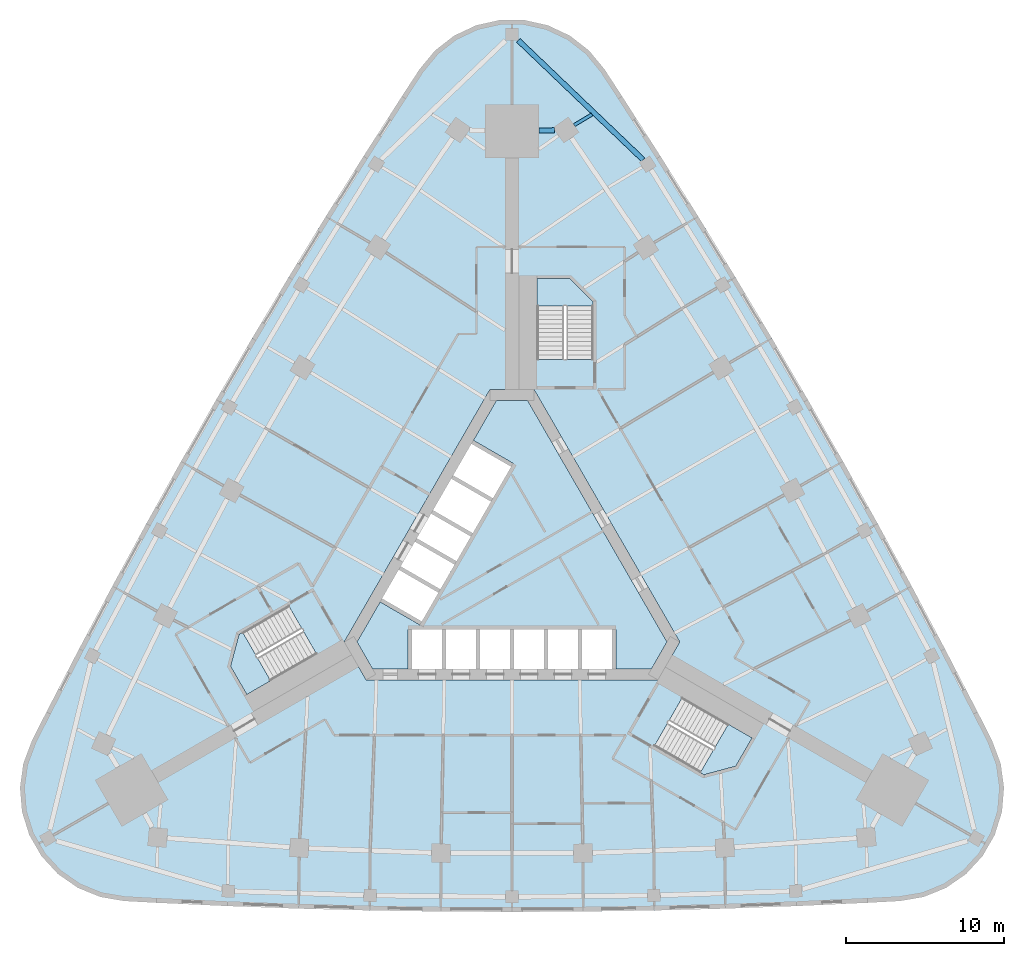
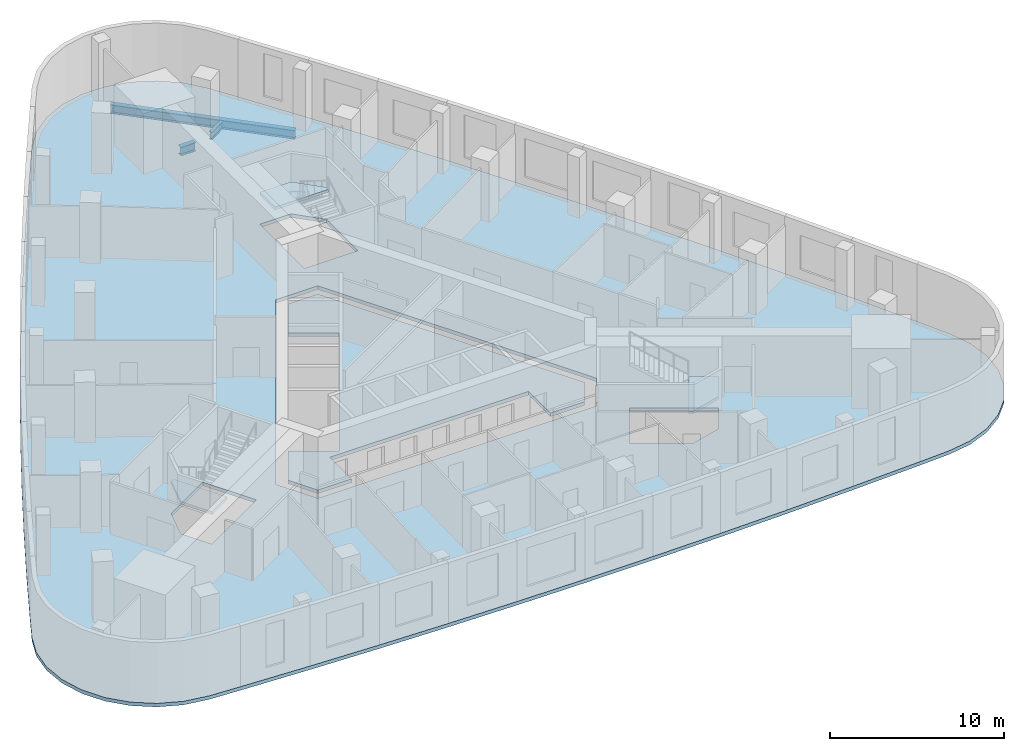
# One storey, part 3 of 11: 5 slabs, 3 beams, 3 elements without a shape of their own.
"""IFC4 building model written with IfcOpenShell, lengths in metres."""

from ifc_helpers import new_model, si_unit, direction, frame, origin, origin_2d, place, context, subcontext, project, spatial, polyline, i_section, outline, extrude, material, layer, layer_set, material_profile, profile_set, type_object, element, aggregate, save


model = new_model("IFC4")

# Units and contexts
model_context = context("Model", 3, precision=1e-05, world=origin(), true_north=direction((0.0, 1.0)))
body_context = subcontext(model_context, "Body", "Model", "MODEL_VIEW")
ifc_project = project(units=[si_unit("LENGTHUNIT", "METRE"), si_unit("AREAUNIT", "SQUARE_METRE"), si_unit("VOLUMEUNIT", "CUBIC_METRE"), si_unit("PLANEANGLEUNIT", "RADIAN"), si_unit("MASSUNIT", "GRAM", prefix="KILO")], contexts=[model_context])

# Site, building, storey
site_placement = place(None, origin())
site = spatial("IfcSite", under=ifc_project, at=site_placement, CompositionType="ELEMENT")
building_placement = place(site_placement, origin())
building = spatial("IfcBuilding", under=site, at=building_placement, Name="Noor Cloister Tower", CompositionType="ELEMENT")
storey_placement = place(building_placement, frame((0.0, 0.0, 15.0)))
storey = spatial("IfcBuildingStorey", under=building, at=storey_placement, Name="L03", CompositionType="ELEMENT", Elevation=15.0)

# Beams
ifc_material_1 = material(Name="Steel ASTM A992 Gr 50", Category="steel")
ifc_material_profile_1 = material_profile(ifc_material_1, i_section(OverallWidth=0.324951171875, OverallDepth=0.612060546875, WebThickness=0.0126953125, FlangeThickness=0.01904296875, FilletRadius=0.0126953125, at=origin_2d()), Name="W610x155")
ifc_profile_set_1 = profile_set([ifc_material_profile_1], Name="Steel ASTM A992 Gr 50")
beam_type_1 = type_object("IfcBeamType", Name="Podium column line beam W610x155", PredefinedType="BEAM", material=ifc_profile_set_1)
beam_1_placement = place(storey_placement, frame((2.6962890625, 27.8447265625, -0.555908203125), z_axis=(-0.999788233423, -0.020578831563, 0.0), x_axis=(0.020578831563, -0.999788233423, 0.0)))
element("IfcBeam", 1, at=beam_1_placement, inside=storey, type_object=beam_type_1, Name="Podium end beam NE 10 L03", PredefinedType="BEAM", context=body_context, shape_type="SweptSolid", body=[
    extrude(i_section(OverallWidth=0.324951171875, OverallDepth=0.612060546875, WebThickness=0.0126953125, FlangeThickness=0.01904296875, FilletRadius=0.0126953125, at=origin_2d()), origin(), (0.0, 0.0, 1.0), 0.99658203125),
])
ifc_material_2 = material(Name="Steel ASTM A992 Gr 50", Category="steel")
ifc_material_profile_2 = material_profile(ifc_material_2, i_section(OverallWidth=0.324951171875, OverallDepth=0.616943359375, WebThickness=0.013916015625, FlangeThickness=0.021484375, FilletRadius=0.0126953125, at=origin_2d()), Name="W610x174")
ifc_profile_set_2 = profile_set([ifc_material_profile_2], Name="Steel ASTM A992 Gr 50")
beam_type_2 = type_object("IfcBeamType", Name="Podium perimeter beam W610x174", PredefinedType="BEAM", material=ifc_profile_set_2)
beam_2_placement = place(storey_placement, frame((8.29443359375, 25.979248046875, -0.55859375), z_axis=(-0.722642827837, 0.691221631154, 0.0), x_axis=(-0.691221631154, -0.722642827837, 0.0)))
element("IfcBeam", 2, at=beam_2_placement, inside=storey, type_object=beam_type_2, Name="Podium perimeter beam 18 L03", PredefinedType="BEAM", context=body_context, shape_type="SweptSolid", body=[
    extrude(i_section(OverallWidth=0.324951171875, OverallDepth=0.616943359375, WebThickness=0.013916015625, FlangeThickness=0.021484375, FilletRadius=0.0126953125, at=origin_2d()), origin(), (0.0, 0.0, 1.0), 10.924560546875),
])
ifc_material_3 = material(Name="Steel ASTM A992 Gr 50", Category="steel")
ifc_material_profile_3 = material_profile(ifc_material_3, i_section(OverallWidth=0.208984375, OverallDepth=0.532958984375, WebThickness=0.01025390625, FlangeThickness=0.015625, FilletRadius=0.0126953125, at=origin_2d()), Name="W530x92")
ifc_profile_set_3 = profile_set([ifc_material_profile_3], Name="Steel ASTM A992 Gr 50")
beam_type_3 = type_object("IfcBeamType", Name="Podium stub beam W530x92", PredefinedType="BEAM", material=ifc_profile_set_3)
beam_3_placement = place(storey_placement, frame((3.936767578125, 28.169921875, -0.5166015625), z_axis=(0.85703318355, 0.515261217534, 0.0), x_axis=(-0.515261217534, 0.85703318355, 0.0)))
element("IfcBeam", 3, at=beam_3_placement, inside=storey, type_object=beam_type_3, Name="Podium stub beam NE 10 L03", PredefinedType="BEAM", context=body_context, shape_type="SweptSolid", body=[
    extrude(i_section(OverallWidth=0.208984375, OverallDepth=0.532958984375, WebThickness=0.01025390625, FlangeThickness=0.015625, FilletRadius=0.0126953125, at=origin_2d()), origin(), (0.0, 0.0, 1.0), 1.31298828125),
])

# Slabs
ifc_material_4 = material(Name="Concrete C40/50", Category="concrete")
ifc_layer_1 = layer(ifc_material_4, 0.25)
ifc_layer_set_1 = layer_set([ifc_layer_1], Name="Core floor slab 250 C40/50")
slab_type_1 = type_object("IfcSlabType", Name="Core floor slab 250 C40/50", PredefinedType="FLOOR", material=ifc_layer_set_1)
slab_1_placement = place(storey_placement, frame((0.0, 0.0, -0.25)))
element("IfcSlab", 4, at=slab_1_placement, inside=storey, type_object=slab_type_1, Name="Core floor L03", PredefinedType="FLOOR", context=body_context, shape_type="SweptSolid", body=[
    extrude(outline(polyline([(-6.574951171875, -6.228271484375), (-6.574951171875, -3.728271484375), (6.574951171875, -3.728271484375), (6.574951171875, -6.228271484375), (8.82470703125, -6.228271484375), (9.80615234375, -4.5283203125), (0.9814453125, 10.75634765625), (-0.9814453125, 10.75634765625), (-2.44384765625, 8.2236328125), (0.067626953125, 6.773681640625), (-5.832275390625, -3.4453125), (-8.34375, -1.995361328125), (-9.80615234375, -4.5283203125), (-8.82470703125, -6.228271484375), (-6.574951171875, -6.228271484375)])), origin(), (0.0, 0.0, 1.0), 0.25),
])
ifc_material_5 = material(Name="Concrete C40/50", Category="concrete")
ifc_layer_2 = layer(ifc_material_5, 0.25)
ifc_layer_set_2 = layer_set([ifc_layer_2], Name="Podium floor slab 250")
slab_type_2 = type_object("IfcSlabType", Name="Podium floor slab 250", PredefinedType="FLOOR", material=ifc_layer_set_2)
slab_2_placement = place(storey_placement, frame((0.0, 0.0, -0.25)))
element("IfcSlab", 5, at=slab_2_placement, inside=storey, type_object=slab_type_2, Name="Floor slab L03", PredefinedType="FLOOR", context=body_context, shape_type="SweptSolid", body=[
    extrude(outline(polyline([(5.85693359375, 31.69677734375), (4.877685546875, 32.884033203125), (3.662841796875, 33.828369140625), (2.27099609375, 34.484619140625), (0.769287109375, 34.82080078125), (-0.769287109375, 34.82080078125), (-2.27099609375, 34.484619140625), (-3.662841796875, 33.828369140625), (-4.877685546875, 32.884033203125), (-5.85693359375, 31.69677734375), (-6.96728515625, 29.991943359375), (-9.394775390625, 26.202880859375), (-11.783447265625, 22.38916015625), (-14.1328125, 18.551025390625), (-16.4423828125, 14.689208984375), (-18.71240234375, 10.8037109375), (-20.9423828125, 6.89501953125), (-23.132080078125, 2.963623046875), (-25.28125, -0.98974609375), (-27.389892578125, -4.96533203125), (-29.457275390625, -8.962158203125), (-30.378662109375, -10.7763671875), (-30.917236328125, -12.2177734375), (-31.127685546875, -13.7421875), (-31.0, -15.275634765625), (-30.540283203125, -16.744140625), (-29.77099609375, -18.07666015625), (-28.72900390625, -19.208984375), (-27.46484375, -20.086181640625), (-26.03955078125, -20.666259765625), (-24.52197265625, -20.920654296875), (-22.490234375, -21.02978515625), (-17.994873046875, -21.237548828125), (-13.497802734375, -21.3994140625), (-8.999267578125, -21.514892578125), (-4.5, -21.584228515625), (0.0, -21.607177734375), (4.5, -21.584228515625), (8.999267578125, -21.514892578125), (13.497802734375, -21.3994140625), (17.994873046875, -21.237548828125), (22.490234375, -21.02978515625), (24.52197265625, -20.920654296875), (26.03955078125, -20.666259765625), (27.46484375, -20.086181640625), (28.72900390625, -19.208984375), (29.77099609375, -18.07666015625), (30.540283203125, -16.744140625), (31.0, -15.275634765625), (31.127685546875, -13.7421875), (30.917236328125, -12.2177734375), (30.378662109375, -10.7763671875), (29.457275390625, -8.962158203125), (27.389892578125, -4.96533203125), (25.28125, -0.98974609375), (23.132080078125, 2.963623046875), (20.9423828125, 6.89501953125), (18.71240234375, 10.8037109375), (16.4423828125, 14.689208984375), (14.1328125, 18.551025390625), (11.783447265625, 22.38916015625), (9.394775390625, 26.202880859375), (6.96728515625, 29.991943359375), (5.85693359375, 31.69677734375)]), holes=[polyline([(-9.228759765625, -6.92822265625), (9.228759765625, -6.92822265625), (10.6142578125, -4.5283203125), (1.3857421875, 11.456298828125), (-1.3857421875, 11.456298828125), (-10.6142578125, -4.5283203125), (-9.228759765625, -6.92822265625)]), polyline([(1.585693359375, 18.456298828125), (1.585693359375, 13.35693359375), (5.135498046875, 13.35693359375), (5.135498046875, 16.9736328125), (3.65283203125, 18.456298828125), (1.585693359375, 18.456298828125)]), polyline([(-16.776611328125, -7.85498046875), (-12.3603515625, -5.305419921875), (-14.13525390625, -2.23095703125), (-16.662841796875, -3.690185546875), (-17.267333984375, -4.039306640625), (-17.81005859375, -6.064697265625), (-16.776611328125, -7.85498046875)]), polyline([(12.131591796875, -12.934326171875), (14.1572265625, -12.3916015625), (15.19091796875, -10.601318359375), (10.774658203125, -8.0517578125), (8.999755859375, -11.126220703125), (12.131591796875, -12.934326171875)])]), origin(), (0.0, 0.0, 1.0), 0.25),
])

# Stair, slab
ifc_material_6 = material(Name="Concrete C40/50", Category="concrete")
stair_type = type_object("IfcStairType", Name="Exit stair 26 risers", PredefinedType="HALF_TURN_STAIR", material=ifc_material_6)
stair_1_placement = place(storey_placement, origin())
stair_1 = element("IfcStair", 6, at=stair_1_placement, inside=storey, type_object=stair_type, Name="Exit stair ST1 L03", PredefinedType="HALF_TURN_STAIR")
ifc_material_7 = material(Name="Concrete C40/50", Category="concrete")
ifc_layer_3 = layer(ifc_material_7, 0.199951171875)
ifc_layer_set_3 = layer_set([ifc_layer_3], Name="Stair landing 200 C40/50")
slab_type_3 = type_object("IfcSlabType", Name="Stair landing 200 C40/50", PredefinedType="LANDING", material=ifc_layer_set_3)
slab_3_placement = place(storey_placement, frame((0.0, 0.0, 2.050048828125)))
slab_3 = element("IfcSlab", 7, at=slab_3_placement, type_object=slab_type_3, Name="ST1 landing 1", PredefinedType="LANDING", context=body_context, shape_type="SweptSolid", body=[
    extrude(outline(polyline([(5.135498046875, 16.7158203125), (5.135498046875, 16.9736328125), (3.65283203125, 18.456298828125), (1.585693359375, 18.456298828125), (1.585693359375, 16.7158203125), (5.135498046875, 16.7158203125)])), origin(), (0.0, 0.0, 1.0), 0.199951171875),
])
aggregate(stair_1, [slab_3])

stair_2_placement = place(storey_placement, origin())
stair_2 = element("IfcStair", 8, at=stair_2_placement, inside=storey, type_object=stair_type, Name="Exit stair ST2 L03", PredefinedType="HALF_TURN_STAIR")
slab_4_placement = place(storey_placement, frame((0.0, 0.0, 2.050048828125)))
slab_4 = element("IfcSlab", 9, at=slab_4_placement, type_object=slab_type_3, Name="ST2 landing 1", PredefinedType="LANDING", context=body_context, shape_type="SweptSolid", body=[
    extrude(outline(polyline([(-17.044189453125, -3.910400390625), (-17.267333984375, -4.039306640625), (-17.81005859375, -6.064697265625), (-16.776611328125, -7.85498046875), (-15.26904296875, -6.984619140625), (-17.044189453125, -3.910400390625)])), origin(), (0.0, 0.0, 1.0), 0.199951171875),
])
aggregate(stair_2, [slab_4])

stair_3_placement = place(storey_placement, origin())
stair_3 = element("IfcStair", 10, at=stair_3_placement, inside=storey, type_object=stair_type, Name="Exit stair ST3 L03", PredefinedType="HALF_TURN_STAIR")
slab_5_placement = place(storey_placement, frame((0.0, 0.0, 2.050048828125)))
slab_5 = element("IfcSlab", 11, at=slab_5_placement, type_object=slab_type_3, Name="ST3 landing 1", PredefinedType="LANDING", context=body_context, shape_type="SweptSolid", body=[
    extrude(outline(polyline([(11.908447265625, -12.805419921875), (12.131591796875, -12.934326171875), (14.1572265625, -12.3916015625), (15.19091796875, -10.601318359375), (13.68359375, -9.731201171875), (11.908447265625, -12.805419921875)])), origin(), (0.0, 0.0, 1.0), 0.199951171875),
])
aggregate(stair_3, [slab_5])

save(model, "model.ifc")
